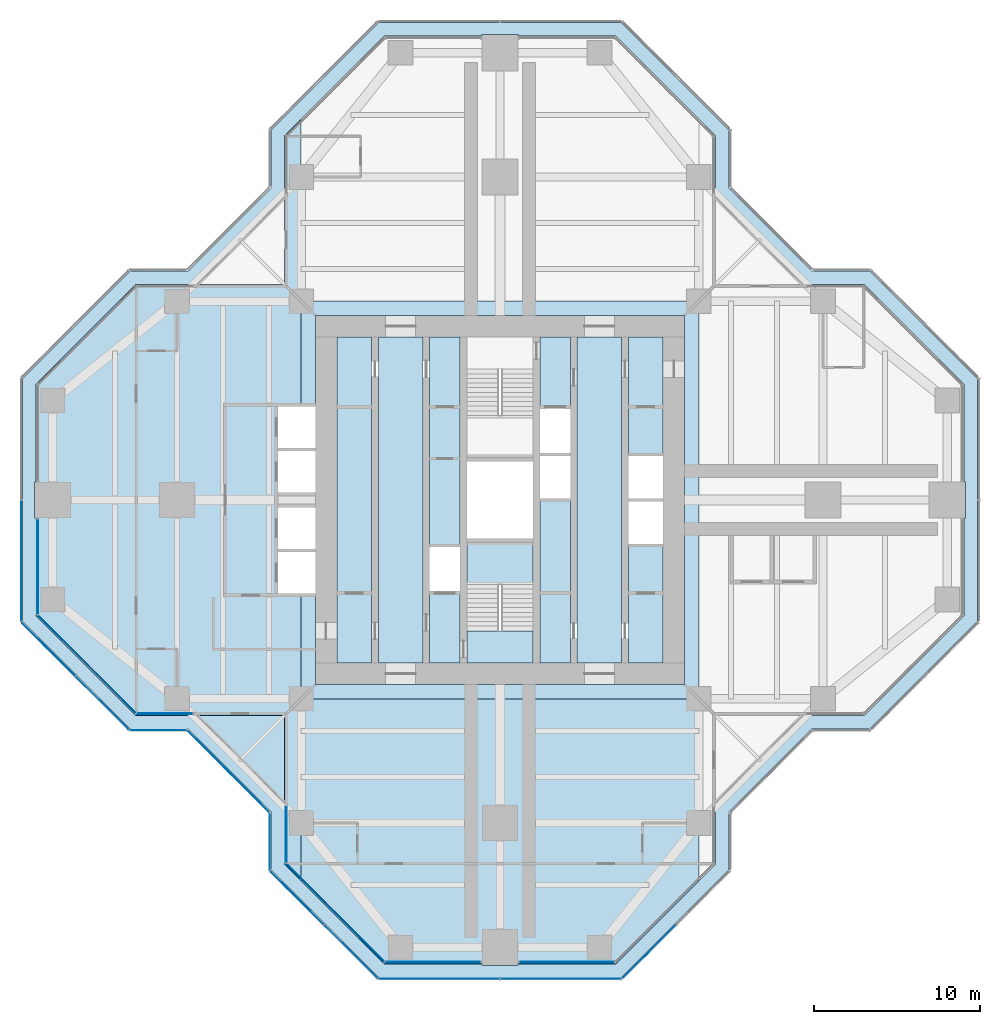
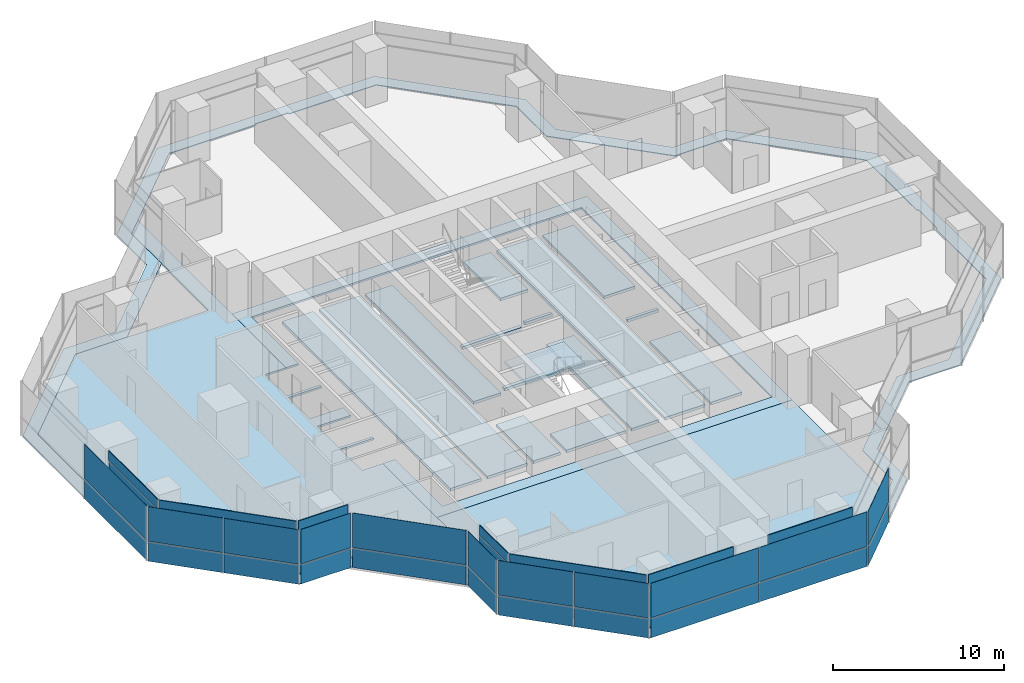
# One storey, part 10 of 17: 37 plates, 7 slabs, 16 elements without a shape of their own.
"""IFC4 building model written with IfcOpenShell, lengths in metres."""

from ifc_helpers import new_model, si_unit, direction, frame, origin, origin_2d, place, context, subcontext, project, spatial, polyline, rectangle, outline, extrude, material, layer, layer_set, type_object, element, aggregate, save


model = new_model("IFC4")

# Units and contexts
model_context = context("Model", 3, precision=1e-05, world=origin(), true_north=direction((0.0, 1.0)))
body_context = subcontext(model_context, "Body", "Model", "MODEL_VIEW")
ifc_project = project(units=[si_unit("LENGTHUNIT", "METRE"), si_unit("AREAUNIT", "SQUARE_METRE"), si_unit("VOLUMEUNIT", "CUBIC_METRE"), si_unit("PLANEANGLEUNIT", "RADIAN"), si_unit("MASSUNIT", "GRAM", prefix="KILO")], contexts=[model_context])

# Site, building, storey
site_placement = place(None, origin())
site = spatial("IfcSite", under=ifc_project, at=site_placement, CompositionType="ELEMENT")
building_placement = place(site_placement, origin())
building = spatial("IfcBuilding", under=site, at=building_placement, Name="Mizan Broadcast Tower", CompositionType="ELEMENT")
storey_placement = place(building_placement, frame((0.0, 0.0, 240.0)))
storey = spatial("IfcBuildingStorey", under=building, at=storey_placement, Name="L56", CompositionType="ELEMENT", Elevation=240.0)

# Plate
ifc_material_1 = material(Name="Aluminium grating", Category="aluminium")
ifc_layer_1 = layer(ifc_material_1, 0.050048828125)
ifc_layer_set_1 = layer_set([ifc_layer_1], Name="Aluminium grating")
plate_type_1 = type_object("IfcPlateType", Name="CAVITY GRATING", PredefinedType="USERDEFINED", material=ifc_layer_set_1)
plate_1_placement = place(storey_placement, frame((0.0, 0.0, -0.050048828125)))
element("IfcPlate", 1, at=plate_1_placement, inside=storey, type_object=plate_type_1, Name="Cavity grating L56", ObjectType="GRATING", PredefinedType="USERDEFINED", context=body_context, shape_type="SweptSolid", body=[
    extrude(outline(polyline([(13.820068359375, -18.839599609375), (18.839599609375, -13.820068359375), (22.339599609375, -13.820068359375), (28.820068359375, -7.339599609375), (28.820068359375, 7.339599609375), (22.339599609375, 13.820068359375), (18.839599609375, 13.820068359375), (13.820068359375, 18.839599609375), (13.820068359375, 22.339599609375), (7.339599609375, 28.820068359375), (-7.339599609375, 28.820068359375), (-13.820068359375, 22.339599609375), (-13.820068359375, 18.839599609375), (-18.839599609375, 13.820068359375), (-22.339599609375, 13.820068359375), (-28.820068359375, 7.339599609375), (-28.820068359375, -7.339599609375), (-22.339599609375, -13.820068359375), (-18.839599609375, -13.820068359375), (-13.820068359375, -18.839599609375), (-13.820068359375, -22.339599609375), (-7.339599609375, -28.820068359375), (7.339599609375, -28.820068359375), (13.820068359375, -22.339599609375), (13.820068359375, -18.839599609375)]), holes=[polyline([(28.0, -1.10009765625), (28.0, -7.0), (22.0, -13.0), (18.5, -13.0), (13.0, -18.5), (13.0, -22.0), (7.0, -28.0), (1.10009765625, -28.0), (1.10009765625, -28.10009765625), (-1.10009765625, -28.10009765625), (-1.10009765625, -28.0), (-7.0, -28.0), (-13.0, -22.0), (-13.0, -18.5), (-18.5, -13.0), (-22.0, -13.0), (-28.0, -7.0), (-28.0, -1.10009765625), (-28.10009765625, -1.10009765625), (-28.10009765625, 1.10009765625), (-28.0, 1.10009765625), (-28.0, 7.0), (-22.0, 13.0), (-18.5, 13.0), (-13.0, 18.5), (-13.0, 22.0), (-7.0, 28.0), (-1.10009765625, 28.0), (-1.10009765625, 28.10009765625), (1.10009765625, 28.10009765625), (1.10009765625, 28.0), (7.0, 28.0), (13.0, 22.0), (13.0, 18.5), (18.5, 13.0), (22.0, 13.0), (28.0, 7.0), (28.0, 1.10009765625), (28.10009765625, 1.10009765625), (28.10009765625, -1.10009765625), (28.0, -1.10009765625)])]), origin(), (0.0, 0.0, 1.0), 0.050048828125),
])

# Slabs
ifc_material_2 = material(Name="Concrete C32/40", Category="concrete")
ifc_layer_2 = layer(ifc_material_2, 0.1298828125)
ifc_layer_set_2 = layer_set([ifc_layer_2], Name="Concrete C32/40")
slab_type_1 = type_object("IfcSlabType", Name="COMPOSITE DECK SLAB 130", PredefinedType="FLOOR", material=ifc_layer_set_2)
slab_1_placement = place(storey_placement, frame((0.0, 0.0, -0.1298828125)))
element("IfcSlab", 2, at=slab_1_placement, inside=storey, type_object=slab_type_1, Name="Floor slab L56 centre", PredefinedType="FLOOR", context=body_context, shape_type="SweptSolid", body=[
    extrude(outline(polyline([(-11.14990234375, -5.64990234375), (-12.0, -5.64990234375), (-12.0, -12.0), (12.0, -12.0), (12.0, 12.0), (-12.0, 12.0), (-12.0, 5.64990234375), (-11.14990234375, 5.64990234375), (-11.14990234375, 11.14990234375), (11.14990234375, 11.14990234375), (11.14990234375, -11.14990234375), (-11.14990234375, -11.14990234375), (-11.14990234375, -5.64990234375)])), origin(), (0.0, 0.0, 1.0), 0.1298828125),
])
slab_2_placement = place(storey_placement, frame((0.0, 0.0, -0.1298828125)))
element("IfcSlab", 3, at=slab_2_placement, inside=storey, type_object=slab_type_1, Name="Floor slab L56 west arm", PredefinedType="FLOOR", context=body_context, shape_type="SweptSolid", body=[
    extrude(outline(polyline([(-22.0, 13.0), (-28.0, 7.0), (-28.0, -7.0), (-22.0, -13.0), (-13.0, -13.0), (-13.0, -22.0), (-12.0, -23.0), (-12.0, -5.64990234375), (-13.39990234375, -5.64990234375), (-13.39990234375, -3.14990234375), (-11.14990234375, -3.14990234375), (-11.14990234375, -2.949951171875), (-13.39990234375, -2.949951171875), (-13.39990234375, -0.449951171875), (-11.14990234375, -0.449951171875), (-11.14990234375, 0.449951171875), (-13.39990234375, 0.449951171875), (-13.39990234375, 2.949951171875), (-11.14990234375, 2.949951171875), (-11.14990234375, 3.14990234375), (-13.39990234375, 3.14990234375), (-13.39990234375, 5.64990234375), (-12.0, 5.64990234375), (-12.0, 23.0), (-13.0, 22.0), (-13.0, 13.0), (-22.0, 13.0)])), origin(), (0.0, 0.0, 1.0), 0.1298828125),
])
slab_3_placement = place(storey_placement, frame((0.0, 0.0, -0.1298828125)))
element("IfcSlab", 4, at=slab_3_placement, inside=storey, type_object=slab_type_1, Name="Floor slab L56 south arm", PredefinedType="FLOOR", context=body_context, shape_type="SweptSolid", body=[
    extrude(outline(polyline([(7.0, -28.0), (12.0, -23.0), (12.0, -12.0), (-12.0, -12.0), (-12.0, -23.0), (-7.0, -28.0), (7.0, -28.0)])), origin(), (0.0, 0.0, 1.0), 0.1298828125),
])
ifc_material_3 = material(Name="Concrete C40/50", Category="concrete")
ifc_layer_3 = layer(ifc_material_3, 0.199951171875)
ifc_layer_set_3 = layer_set([ifc_layer_3], Name="Concrete C40/50")
slab_type_2 = type_object("IfcSlabType", Name="CORE FLOOR 200", PredefinedType="FLOOR", material=ifc_layer_set_3)
slab_4_placement = place(storey_placement, frame((0.0, 0.0, -0.199951171875)))
element("IfcSlab", 5, at=slab_4_placement, inside=storey, type_object=slab_type_2, Name="Core floor L56", PredefinedType="FLOOR", context=body_context, shape_type="SweptSolid", body=[
    extrude(outline(polyline([(-9.85009765625, -9.85009765625), (-7.75, -9.85009765625), (-7.75, 9.85009765625), (-9.85009765625, 9.85009765625), (-9.85009765625, -9.85009765625)])), origin(), (0.0, 0.0, 1.0), 0.199951171875),
    extrude(outline(polyline([(-4.64990234375, 9.85009765625), (-7.35009765625, 9.85009765625), (-7.35009765625, -9.85009765625), (-4.64990234375, -9.85009765625), (-4.64990234375, 9.85009765625)])), origin(), (0.0, 0.0, 1.0), 0.199951171875),
    extrude(outline(polyline([(-4.25, -5.5), (-4.25, -9.85009765625), (-2.39990234375, -9.85009765625), (-2.39990234375, -5.5), (-4.25, -5.5)])), origin(), (0.0, 0.0, 1.0), 0.199951171875),
    extrude(outline(polyline([(-4.25, -2.85009765625), (-2.39990234375, -2.85009765625), (-2.39990234375, 9.85009765625), (-4.25, 9.85009765625), (-4.25, -2.85009765625)])), origin(), (0.0, 0.0, 1.0), 0.199951171875),
    extrude(outline(polyline([(2.0, -2.324951171875), (-2.0, -2.324951171875), (-2.0, -2.574951171875), (2.0, -2.574951171875), (2.0, -2.324951171875)])), origin(), (0.0, 0.0, 1.0), 0.199951171875),
    extrude(outline(polyline([(2.0, 2.574951171875), (-2.0, 2.574951171875), (-2.0, 2.324951171875), (2.0, 2.324951171875), (2.0, 2.574951171875)])), origin(), (0.0, 0.0, 1.0), 0.199951171875),
    extrude(outline(polyline([(4.25, -9.85009765625), (4.25, 0.10009765625), (2.39990234375, 0.10009765625), (2.39990234375, -9.85009765625), (4.25, -9.85009765625)])), origin(), (0.0, 0.0, 1.0), 0.199951171875),
    extrude(outline(polyline([(4.25, 2.64990234375), (4.25, 2.85009765625), (2.39990234375, 2.85009765625), (2.39990234375, 2.64990234375), (4.25, 2.64990234375)])), origin(), (0.0, 0.0, 1.0), 0.199951171875),
    extrude(outline(polyline([(4.25, 5.5), (4.25, 9.85009765625), (2.39990234375, 9.85009765625), (2.39990234375, 5.5), (4.25, 5.5)])), origin(), (0.0, 0.0, 1.0), 0.199951171875),
    extrude(outline(polyline([(4.64990234375, 9.85009765625), (4.64990234375, -9.85009765625), (7.35009765625, -9.85009765625), (7.35009765625, 9.85009765625), (4.64990234375, 9.85009765625)])), origin(), (0.0, 0.0, 1.0), 0.199951171875),
    extrude(outline(polyline([(9.85009765625, -9.85009765625), (9.85009765625, -2.64990234375), (7.75, -2.64990234375), (7.75, -9.85009765625), (9.85009765625, -9.85009765625)])), origin(), (0.0, 0.0, 1.0), 0.199951171875),
    extrude(outline(polyline([(9.85009765625, -0.10009765625), (9.85009765625, 0.10009765625), (7.75, 0.10009765625), (7.75, -0.10009765625), (9.85009765625, -0.10009765625)])), origin(), (0.0, 0.0, 1.0), 0.199951171875),
    extrude(outline(polyline([(7.75, 9.85009765625), (7.75, 2.64990234375), (9.85009765625, 2.64990234375), (9.85009765625, 9.85009765625), (7.75, 9.85009765625)])), origin(), (0.0, 0.0, 1.0), 0.199951171875),
])

# Curtain wall, plate
ifc_material_4 = material(Name="Aluminium framed glazing", Category="aluminium")
curtain_wall_type_1 = type_object("IfcCurtainWallType", Name="INNER SKIN HIGH ZONE", PredefinedType="USERDEFINED", material=ifc_material_4)
curtain_wall_1_placement = place(storey_placement, origin())
curtain_wall_1 = element("IfcCurtainWall", 6, at=curtain_wall_1_placement, inside=storey, type_object=curtain_wall_type_1, Name="Inner skin high zone L56 W end", ObjectType="INNER SKIN HIGH ZONE", PredefinedType="USERDEFINED")
ifc_material_5 = material(Name="Double glazing, clear low-e", Category="glass")
ifc_layer_4 = layer(ifc_material_5, 0.028076171875)
ifc_layer_set_4 = layer_set([ifc_layer_4], Name="Double glazing, clear low-e")
plate_type_2 = type_object("IfcPlateType", Name="INNER SKIN GLAZING UNIT", PredefinedType="CURTAIN_PANEL", material=ifc_layer_set_4)
plate_2_placement = place(storey_placement, frame((-27.89990234375, -4.029296875, 0.0), z_axis=(0.0, 0.0, 1.0), x_axis=(0.0, -1.0, 0.0)))
plate_2 = element("IfcPlate", 7, at=plate_2_placement, type_object=plate_type_2, Name="Inner skin high zone L56 W end panel 1.1", PredefinedType="CURTAIN_PANEL", context=body_context, shape_type="SweptSolid", body=[
    extrude(rectangle(XDim=5.738525390625, YDim=0.028076171875, at=origin_2d()), origin(), (0.0, 0.0, 1.0), 3.0),
])

curtain_wall_2_placement = place(storey_placement, origin())
curtain_wall_2 = element("IfcCurtainWall", 8, at=curtain_wall_2_placement, inside=storey, type_object=curtain_wall_type_1, Name="Inner skin high zone L56 W chamfer", ObjectType="INNER SKIN HIGH ZONE", PredefinedType="USERDEFINED")
plate_3_placement = place(storey_placement, frame((-24.92919921875, -9.92919921875, 0.0), z_axis=(0.0, 0.0, 1.0), x_axis=(0.707106781187, -0.707106781187, 0.0)))
plate_3 = element("IfcPlate", 9, at=plate_3_placement, type_object=plate_type_2, Name="Inner skin high zone L56 W chamfer panel 1.1", PredefinedType="CURTAIN_PANEL", context=body_context, shape_type="SweptSolid", body=[
    extrude(rectangle(XDim=8.282470703125, YDim=0.028076171875, at=origin_2d()), origin(), (0.0, 0.0, 1.0), 3.0),
])

curtain_wall_3_placement = place(storey_placement, origin())
curtain_wall_3 = element("IfcCurtainWall", 10, at=curtain_wall_3_placement, inside=storey, type_object=curtain_wall_type_1, Name="Inner skin high zone L56 W side", ObjectType="INNER SKIN HIGH ZONE", PredefinedType="USERDEFINED")
plate_4_placement = place(storey_placement, frame((-20.229248046875, -12.89990234375, 0.0), z_axis=(0.0, 0.0, 1.0), x_axis=(1.0, 0.0, 0.0)))
plate_4 = element("IfcPlate", 11, at=plate_4_placement, type_object=plate_type_2, Name="Inner skin high zone L56 W side panel 1.1", PredefinedType="CURTAIN_PANEL", context=body_context, shape_type="SweptSolid", body=[
    extrude(rectangle(XDim=3.338623046875, YDim=0.028076171875, at=origin_2d()), origin(), (0.0, 0.0, 1.0), 3.0),
])

curtain_wall_4_placement = place(storey_placement, origin())
curtain_wall_4 = element("IfcCurtainWall", 12, at=curtain_wall_4_placement, inside=storey, type_object=curtain_wall_type_1, Name="Inner skin high zone L56 S side", ObjectType="INNER SKIN HIGH ZONE", PredefinedType="USERDEFINED")
plate_5_placement = place(storey_placement, frame((-12.89990234375, -20.229248046875, 0.0), z_axis=(0.0, 0.0, 1.0), x_axis=(0.0, -1.0, 0.0)))
plate_5 = element("IfcPlate", 13, at=plate_5_placement, type_object=plate_type_2, Name="Inner skin high zone L56 S side panel 1.1", PredefinedType="CURTAIN_PANEL", context=body_context, shape_type="SweptSolid", body=[
    extrude(rectangle(XDim=3.338623046875, YDim=0.028076171875, at=origin_2d()), origin(), (0.0, 0.0, 1.0), 3.0),
])

curtain_wall_5_placement = place(storey_placement, origin())
curtain_wall_5 = element("IfcCurtainWall", 14, at=curtain_wall_5_placement, inside=storey, type_object=curtain_wall_type_1, Name="Inner skin high zone L56 S chamfer", ObjectType="INNER SKIN HIGH ZONE", PredefinedType="USERDEFINED")
plate_6_placement = place(storey_placement, frame((-9.92919921875, -24.92919921875, 0.0), z_axis=(0.0, 0.0, 1.0), x_axis=(0.707106781187, -0.707106781187, 0.0)))
plate_6 = element("IfcPlate", 15, at=plate_6_placement, type_object=plate_type_2, Name="Inner skin high zone L56 S chamfer panel 1.1", PredefinedType="CURTAIN_PANEL", context=body_context, shape_type="SweptSolid", body=[
    extrude(rectangle(XDim=8.282470703125, YDim=0.028076171875, at=origin_2d()), origin(), (0.0, 0.0, 1.0), 3.0),
])

curtain_wall_6_placement = place(storey_placement, origin())
curtain_wall_6 = element("IfcCurtainWall", 16, at=curtain_wall_6_placement, inside=storey, type_object=curtain_wall_type_1, Name="Inner skin high zone L56 S end", ObjectType="INNER SKIN HIGH ZONE", PredefinedType="USERDEFINED")
plate_7_placement = place(storey_placement, frame((-4.029296875, -27.89990234375, 0.0), z_axis=(0.0, 0.0, 1.0), x_axis=(1.0, 0.0, 0.0)))
plate_7 = element("IfcPlate", 17, at=plate_7_placement, type_object=plate_type_2, Name="Inner skin high zone L56 S end panel 1.1", PredefinedType="CURTAIN_PANEL", context=body_context, shape_type="SweptSolid", body=[
    extrude(rectangle(XDim=5.738525390625, YDim=0.028076171875, at=origin_2d()), origin(), (0.0, 0.0, 1.0), 3.0),
])

curtain_wall_7_placement = place(storey_placement, origin())
curtain_wall_7 = element("IfcCurtainWall", 18, at=curtain_wall_7_placement, inside=storey, type_object=curtain_wall_type_1, Name="Inner skin high zone L56 S end", ObjectType="INNER SKIN HIGH ZONE", PredefinedType="USERDEFINED")
plate_8_placement = place(storey_placement, frame((4.029296875, -27.89990234375, 0.0), z_axis=(0.0, 0.0, 1.0), x_axis=(1.0, 0.0, 0.0)))
plate_8 = element("IfcPlate", 19, at=plate_8_placement, type_object=plate_type_2, Name="Inner skin high zone L56 S end panel 1.1", PredefinedType="CURTAIN_PANEL", context=body_context, shape_type="SweptSolid", body=[
    extrude(rectangle(XDim=5.738525390625, YDim=0.028076171875, at=origin_2d()), origin(), (0.0, 0.0, 1.0), 3.0),
])

# Plate
ifc_material_6 = material(Name="Insulated aluminium spandrel panel, pale anodised", Category="aluminium")
ifc_layer_5 = layer(ifc_material_6, 0.050048828125)
ifc_layer_set_5 = layer_set([ifc_layer_5], Name="Insulated aluminium spandrel panel, pale anodised")
plate_type_3 = type_object("IfcPlateType", Name="INNER SKIN SPANDREL PANEL", PredefinedType="CURTAIN_PANEL", material=ifc_layer_set_5)
plate_9_placement = place(storey_placement, frame((-27.89990234375, -4.029296875, 3.06005859375), z_axis=(0.0, 0.0, 1.0), x_axis=(0.0, -1.0, 0.0)))
plate_9 = element("IfcPlate", 20, at=plate_9_placement, type_object=plate_type_3, Name="Inner skin high zone L56 W end panel 1.2", PredefinedType="CURTAIN_PANEL", context=body_context, shape_type="SweptSolid", body=[
    extrude(rectangle(XDim=5.738525390625, YDim=0.050048828125, at=origin_2d()), origin(), (0.0, 0.0, 1.0), 0.7099609375),
])

aggregate(curtain_wall_1, [plate_2, plate_9])

plate_10_placement = place(storey_placement, frame((-24.92919921875, -9.92919921875, 3.06005859375), z_axis=(0.0, 0.0, 1.0), x_axis=(0.707106781187, -0.707106781187, 0.0)))
plate_10 = element("IfcPlate", 21, at=plate_10_placement, type_object=plate_type_3, Name="Inner skin high zone L56 W chamfer panel 1.2", PredefinedType="CURTAIN_PANEL", context=body_context, shape_type="SweptSolid", body=[
    extrude(rectangle(XDim=8.282470703125, YDim=0.050048828125, at=origin_2d()), origin(), (0.0, 0.0, 1.0), 0.7099609375),
])

aggregate(curtain_wall_2, [plate_3, plate_10])

plate_11_placement = place(storey_placement, frame((-20.229248046875, -12.89990234375, 3.06005859375), z_axis=(0.0, 0.0, 1.0), x_axis=(1.0, 0.0, 0.0)))
plate_11 = element("IfcPlate", 22, at=plate_11_placement, type_object=plate_type_3, Name="Inner skin high zone L56 W side panel 1.2", PredefinedType="CURTAIN_PANEL", context=body_context, shape_type="SweptSolid", body=[
    extrude(rectangle(XDim=3.338623046875, YDim=0.050048828125, at=origin_2d()), origin(), (0.0, 0.0, 1.0), 0.7099609375),
])

aggregate(curtain_wall_3, [plate_4, plate_11])

plate_12_placement = place(storey_placement, frame((-12.89990234375, -20.229248046875, 3.06005859375), z_axis=(0.0, 0.0, 1.0), x_axis=(0.0, -1.0, 0.0)))
plate_12 = element("IfcPlate", 23, at=plate_12_placement, type_object=plate_type_3, Name="Inner skin high zone L56 S side panel 1.2", PredefinedType="CURTAIN_PANEL", context=body_context, shape_type="SweptSolid", body=[
    extrude(rectangle(XDim=3.338623046875, YDim=0.050048828125, at=origin_2d()), origin(), (0.0, 0.0, 1.0), 0.7099609375),
])

aggregate(curtain_wall_4, [plate_5, plate_12])

plate_13_placement = place(storey_placement, frame((-9.92919921875, -24.92919921875, 3.06005859375), z_axis=(0.0, 0.0, 1.0), x_axis=(0.707106781187, -0.707106781187, 0.0)))
plate_13 = element("IfcPlate", 24, at=plate_13_placement, type_object=plate_type_3, Name="Inner skin high zone L56 S chamfer panel 1.2", PredefinedType="CURTAIN_PANEL", context=body_context, shape_type="SweptSolid", body=[
    extrude(rectangle(XDim=8.282470703125, YDim=0.050048828125, at=origin_2d()), origin(), (0.0, 0.0, 1.0), 0.7099609375),
])

aggregate(curtain_wall_5, [plate_6, plate_13])

plate_14_placement = place(storey_placement, frame((-4.029296875, -27.89990234375, 3.06005859375), z_axis=(0.0, 0.0, 1.0), x_axis=(1.0, 0.0, 0.0)))
plate_14 = element("IfcPlate", 25, at=plate_14_placement, type_object=plate_type_3, Name="Inner skin high zone L56 S end panel 1.2", PredefinedType="CURTAIN_PANEL", context=body_context, shape_type="SweptSolid", body=[
    extrude(rectangle(XDim=5.738525390625, YDim=0.050048828125, at=origin_2d()), origin(), (0.0, 0.0, 1.0), 0.7099609375),
])

aggregate(curtain_wall_6, [plate_7, plate_14])

plate_15_placement = place(storey_placement, frame((4.029296875, -27.89990234375, 3.06005859375), z_axis=(0.0, 0.0, 1.0), x_axis=(1.0, 0.0, 0.0)))
plate_15 = element("IfcPlate", 26, at=plate_15_placement, type_object=plate_type_3, Name="Inner skin high zone L56 S end panel 1.2", PredefinedType="CURTAIN_PANEL", context=body_context, shape_type="SweptSolid", body=[
    extrude(rectangle(XDim=5.738525390625, YDim=0.050048828125, at=origin_2d()), origin(), (0.0, 0.0, 1.0), 0.7099609375),
])

aggregate(curtain_wall_7, [plate_8, plate_15])

# Curtain wall, plates
ifc_material_7 = material(Name="Aluminium framed glazing", Category="aluminium")
curtain_wall_type_2 = type_object("IfcCurtainWallType", Name="OUTER SKIN", PredefinedType="USERDEFINED", material=ifc_material_7)
curtain_wall_8_placement = place(storey_placement, origin())
curtain_wall_8 = element("IfcCurtainWall", 27, at=curtain_wall_8_placement, inside=storey, type_object=curtain_wall_type_2, Name="Outer skin L56 W chamfer", ObjectType="OUTER SKIN", PredefinedType="USERDEFINED")
ifc_material_8 = material(Name="Laminated clear glass", Category="glass")
ifc_layer_6 = layer(ifc_material_8, 0.02001953125)
ifc_layer_set_6 = layer_set([ifc_layer_6], Name="Laminated clear glass")
plate_type_4 = type_object("IfcPlateType", Name="OUTER SKIN CLEAR GLASS", PredefinedType="CURTAIN_PANEL", material=ifc_layer_set_6)
plate_16_placement = place(storey_placement, frame((-27.254150390625, -9.018798828125, 0.0), z_axis=(0.0, 0.0, 1.0), x_axis=(0.707106781187, -0.707106781187, 0.0)))
plate_16 = element("IfcPlate", 28, at=plate_16_placement, type_object=plate_type_4, Name="Outer skin L56 W chamfer panel 1.1", PredefinedType="CURTAIN_PANEL", context=body_context, shape_type="SweptSolid", body=[
    extrude(rectangle(XDim=4.495361328125, YDim=0.02001953125, at=origin_2d()), origin(), (0.0, 0.0, 1.0), 1.3701171875),
])
plate_17_placement = place(storey_placement, frame((-27.254150390625, -9.018798828125, 1.43017578125), z_axis=(0.0, 0.0, 1.0), x_axis=(0.707106781187, -0.707106781187, 0.0)))
plate_17 = element("IfcPlate", 29, at=plate_17_placement, type_object=plate_type_4, Name="Outer skin L56 W chamfer panel 1.2", PredefinedType="CURTAIN_PANEL", context=body_context, shape_type="SweptSolid", body=[
    extrude(rectangle(XDim=4.495361328125, YDim=0.02001953125, at=origin_2d()), origin(), (0.0, 0.0, 1.0), 2.469970703125),
])

curtain_wall_9_placement = place(storey_placement, origin())
curtain_wall_9 = element("IfcCurtainWall", 30, at=curtain_wall_9_placement, inside=storey, type_object=curtain_wall_type_2, Name="Outer skin L56 W side", ObjectType="OUTER SKIN", PredefinedType="USERDEFINED")
plate_18_placement = place(storey_placement, frame((-20.622802734375, -13.89990234375, 0.0), z_axis=(0.0, 0.0, 1.0), x_axis=(1.0, 0.0, 0.0)))
plate_18 = element("IfcPlate", 31, at=plate_18_placement, type_object=plate_type_4, Name="Outer skin L56 W side panel 1.1", PredefinedType="CURTAIN_PANEL", context=body_context, shape_type="SweptSolid", body=[
    extrude(rectangle(XDim=3.340087890625, YDim=0.02001953125, at=origin_2d()), origin(), (0.0, 0.0, 1.0), 1.3701171875),
])
plate_19_placement = place(storey_placement, frame((-20.622802734375, -13.89990234375, 1.43017578125), z_axis=(0.0, 0.0, 1.0), x_axis=(1.0, 0.0, 0.0)))
plate_19 = element("IfcPlate", 32, at=plate_19_placement, type_object=plate_type_4, Name="Outer skin L56 W side panel 1.2", PredefinedType="CURTAIN_PANEL", context=body_context, shape_type="SweptSolid", body=[
    extrude(rectangle(XDim=3.340087890625, YDim=0.02001953125, at=origin_2d()), origin(), (0.0, 0.0, 1.0), 2.469970703125),
])
aggregate(curtain_wall_9, [plate_18, plate_19])

curtain_wall_10_placement = place(storey_placement, origin())
curtain_wall_10 = element("IfcCurtainWall", 33, at=curtain_wall_10_placement, inside=storey, type_object=curtain_wall_type_2, Name="Outer skin L56 W chamfer", ObjectType="OUTER SKIN", PredefinedType="USERDEFINED")
plate_20_placement = place(storey_placement, frame((-16.386474609375, -16.386474609375, 0.0), z_axis=(0.0, 0.0, 1.0), x_axis=(0.707106781187, -0.707106781187, 0.0)))
plate_20 = element("IfcPlate", 34, at=plate_20_placement, type_object=plate_type_4, Name="Outer skin L56 W chamfer panel 1.1", PredefinedType="CURTAIN_PANEL", context=body_context, shape_type="SweptSolid", body=[
    extrude(rectangle(XDim=6.87255859375, YDim=0.02001953125, at=origin_2d()), origin(), (0.0, 0.0, 1.0), 1.3701171875),
])
plate_21_placement = place(storey_placement, frame((-16.386474609375, -16.386474609375, 1.43017578125), z_axis=(0.0, 0.0, 1.0), x_axis=(0.707106781187, -0.707106781187, 0.0)))
plate_21 = element("IfcPlate", 35, at=plate_21_placement, type_object=plate_type_4, Name="Outer skin L56 W chamfer panel 1.2", PredefinedType="CURTAIN_PANEL", context=body_context, shape_type="SweptSolid", body=[
    extrude(rectangle(XDim=6.87255859375, YDim=0.02001953125, at=origin_2d()), origin(), (0.0, 0.0, 1.0), 2.469970703125),
])
aggregate(curtain_wall_10, [plate_20, plate_21])

curtain_wall_11_placement = place(storey_placement, origin())
curtain_wall_11 = element("IfcCurtainWall", 36, at=curtain_wall_11_placement, inside=storey, type_object=curtain_wall_type_2, Name="Outer skin L56 S side", ObjectType="OUTER SKIN", PredefinedType="USERDEFINED")
plate_22_placement = place(storey_placement, frame((-13.89990234375, -20.622802734375, 0.0), z_axis=(0.0, 0.0, 1.0), x_axis=(0.0, -1.0, 0.0)))
plate_22 = element("IfcPlate", 37, at=plate_22_placement, type_object=plate_type_4, Name="Outer skin L56 S side panel 1.1", PredefinedType="CURTAIN_PANEL", context=body_context, shape_type="SweptSolid", body=[
    extrude(rectangle(XDim=3.340087890625, YDim=0.02001953125, at=origin_2d()), origin(), (0.0, 0.0, 1.0), 1.3701171875),
])
plate_23_placement = place(storey_placement, frame((-13.89990234375, -20.622802734375, 1.43017578125), z_axis=(0.0, 0.0, 1.0), x_axis=(0.0, -1.0, 0.0)))
plate_23 = element("IfcPlate", 38, at=plate_23_placement, type_object=plate_type_4, Name="Outer skin L56 S side panel 1.2", PredefinedType="CURTAIN_PANEL", context=body_context, shape_type="SweptSolid", body=[
    extrude(rectangle(XDim=3.340087890625, YDim=0.02001953125, at=origin_2d()), origin(), (0.0, 0.0, 1.0), 2.469970703125),
])
aggregate(curtain_wall_11, [plate_22, plate_23])

curtain_wall_12_placement = place(storey_placement, origin())
curtain_wall_12 = element("IfcCurtainWall", 39, at=curtain_wall_12_placement, inside=storey, type_object=curtain_wall_type_2, Name="Outer skin L56 S chamfer", ObjectType="OUTER SKIN", PredefinedType="USERDEFINED")
plate_24_placement = place(storey_placement, frame((-12.254150390625, -24.018798828125, 0.0), z_axis=(0.0, 0.0, 1.0), x_axis=(0.707106781187, -0.707106781187, 0.0)))
plate_24 = element("IfcPlate", 40, at=plate_24_placement, type_object=plate_type_4, Name="Outer skin L56 S chamfer panel 1.1", PredefinedType="CURTAIN_PANEL", context=body_context, shape_type="SweptSolid", body=[
    extrude(rectangle(XDim=4.495361328125, YDim=0.02001953125, at=origin_2d()), origin(), (0.0, 0.0, 1.0), 1.3701171875),
])
plate_25_placement = place(storey_placement, frame((-12.254150390625, -24.018798828125, 1.43017578125), z_axis=(0.0, 0.0, 1.0), x_axis=(0.707106781187, -0.707106781187, 0.0)))
plate_25 = element("IfcPlate", 41, at=plate_25_placement, type_object=plate_type_4, Name="Outer skin L56 S chamfer panel 1.2", PredefinedType="CURTAIN_PANEL", context=body_context, shape_type="SweptSolid", body=[
    extrude(rectangle(XDim=4.495361328125, YDim=0.02001953125, at=origin_2d()), origin(), (0.0, 0.0, 1.0), 2.469970703125),
])

curtain_wall_13_placement = place(storey_placement, origin())
curtain_wall_13 = element("IfcCurtainWall", 42, at=curtain_wall_13_placement, inside=storey, type_object=curtain_wall_type_2, Name="Outer skin L56 S end", ObjectType="OUTER SKIN", PredefinedType="USERDEFINED")
plate_26_placement = place(storey_placement, frame((-3.66650390625, -28.89990234375, 0.0), z_axis=(0.0, 0.0, 1.0), x_axis=(1.0, 0.0, 0.0)))
plate_26 = element("IfcPlate", 43, at=plate_26_placement, type_object=plate_type_4, Name="Outer skin L56 S end panel 1.1", PredefinedType="CURTAIN_PANEL", context=body_context, shape_type="SweptSolid", body=[
    extrude(rectangle(XDim=7.252685546875, YDim=0.02001953125, at=origin_2d()), origin(), (0.0, 0.0, 1.0), 1.3701171875),
])
plate_27_placement = place(storey_placement, frame((-3.66650390625, -28.89990234375, 1.43017578125), z_axis=(0.0, 0.0, 1.0), x_axis=(1.0, 0.0, 0.0)))
plate_27 = element("IfcPlate", 44, at=plate_27_placement, type_object=plate_type_4, Name="Outer skin L56 S end panel 1.2", PredefinedType="CURTAIN_PANEL", context=body_context, shape_type="SweptSolid", body=[
    extrude(rectangle(XDim=7.252685546875, YDim=0.02001953125, at=origin_2d()), origin(), (0.0, 0.0, 1.0), 2.469970703125),
])

curtain_wall_14_placement = place(storey_placement, origin())
curtain_wall_14 = element("IfcCurtainWall", 45, at=curtain_wall_14_placement, inside=storey, type_object=curtain_wall_type_2, Name="Outer skin L56 S chamfer", ObjectType="OUTER SKIN", PredefinedType="USERDEFINED")
plate_28_placement = place(storey_placement, frame((9.018798828125, -27.254150390625, 0.0), z_axis=(0.0, 0.0, 1.0), x_axis=(0.707106781187, 0.707106781187, 0.0)))
plate_28 = element("IfcPlate", 46, at=plate_28_placement, type_object=plate_type_4, Name="Outer skin L56 S chamfer panel 1.1", PredefinedType="CURTAIN_PANEL", context=body_context, shape_type="SweptSolid", body=[
    extrude(rectangle(XDim=4.495361328125, YDim=0.02001953125, at=origin_2d()), origin(), (0.0, 0.0, 1.0), 1.3701171875),
])
plate_29_placement = place(storey_placement, frame((9.018798828125, -27.254150390625, 1.43017578125), z_axis=(0.0, 0.0, 1.0), x_axis=(0.707106781187, 0.707106781187, 0.0)))
plate_29 = element("IfcPlate", 47, at=plate_29_placement, type_object=plate_type_4, Name="Outer skin L56 S chamfer panel 1.2", PredefinedType="CURTAIN_PANEL", context=body_context, shape_type="SweptSolid", body=[
    extrude(rectangle(XDim=4.495361328125, YDim=0.02001953125, at=origin_2d()), origin(), (0.0, 0.0, 1.0), 2.469970703125),
])
aggregate(curtain_wall_14, [plate_28, plate_29])

curtain_wall_15_placement = place(storey_placement, origin())
curtain_wall_15 = element("IfcCurtainWall", 48, at=curtain_wall_15_placement, inside=storey, type_object=curtain_wall_type_2, Name="Outer skin L56 W end", ObjectType="OUTER SKIN", PredefinedType="USERDEFINED")
ifc_material_9 = material(Name="Perforated aluminium, pale anodised", Category="aluminium")
ifc_layer_7 = layer(ifc_material_9, 0.011962890625)
ifc_layer_set_7 = layer_set([ifc_layer_7], Name="Perforated aluminium, pale anodised")
plate_type_5 = type_object("IfcPlateType", Name="OUTER SKIN PERFORATED SCREEN", PredefinedType="USERDEFINED", material=ifc_layer_set_7)
plate_30_placement = place(storey_placement, frame((-28.89990234375, -3.66650390625, 0.0), z_axis=(0.0, 0.0, 1.0), x_axis=(0.0, -1.0, 0.0)))
plate_30 = element("IfcPlate", 49, at=plate_30_placement, type_object=plate_type_5, Name="Outer skin L56 W end panel 2.1", ObjectType="SCREEN", PredefinedType="USERDEFINED", context=body_context, shape_type="SweptSolid", body=[
    extrude(rectangle(XDim=7.252685546875, YDim=0.011962890625, at=origin_2d()), origin(), (0.0, 0.0, 1.0), 1.3701171875),
])
plate_31_placement = place(storey_placement, frame((-28.89990234375, -3.66650390625, 1.43017578125), z_axis=(0.0, 0.0, 1.0), x_axis=(0.0, -1.0, 0.0)))
plate_31 = element("IfcPlate", 50, at=plate_31_placement, type_object=plate_type_5, Name="Outer skin L56 W end panel 2.2", ObjectType="SCREEN", PredefinedType="USERDEFINED", context=body_context, shape_type="SweptSolid", body=[
    extrude(rectangle(XDim=7.252685546875, YDim=0.011962890625, at=origin_2d()), origin(), (0.0, 0.0, 1.0), 2.469970703125),
])
aggregate(curtain_wall_15, [plate_30, plate_31])

# Plate
plate_32_placement = place(storey_placement, frame((-24.018798828125, -12.254150390625, 0.0), z_axis=(0.0, 0.0, 1.0), x_axis=(0.707106781187, -0.707106781187, 0.0)))
plate_32 = element("IfcPlate", 51, at=plate_32_placement, type_object=plate_type_5, Name="Outer skin L56 W chamfer panel 2.1", ObjectType="SCREEN", PredefinedType="USERDEFINED", context=body_context, shape_type="SweptSolid", body=[
    extrude(rectangle(XDim=4.495361328125, YDim=0.011962890625, at=origin_2d()), origin(), (0.0, 0.0, 1.0), 1.3701171875),
])

plate_33_placement = place(storey_placement, frame((-24.018798828125, -12.254150390625, 1.43017578125), z_axis=(0.0, 0.0, 1.0), x_axis=(0.707106781187, -0.707106781187, 0.0)))
plate_33 = element("IfcPlate", 52, at=plate_33_placement, type_object=plate_type_5, Name="Outer skin L56 W chamfer panel 2.2", ObjectType="SCREEN", PredefinedType="USERDEFINED", context=body_context, shape_type="SweptSolid", body=[
    extrude(rectangle(XDim=4.495361328125, YDim=0.011962890625, at=origin_2d()), origin(), (0.0, 0.0, 1.0), 2.469970703125),
])

aggregate(curtain_wall_8, [plate_16, plate_17, plate_32, plate_33])

plate_34_placement = place(storey_placement, frame((-9.018798828125, -27.254150390625, 0.0), z_axis=(0.0, 0.0, 1.0), x_axis=(0.707106781187, -0.707106781187, 0.0)))
plate_34 = element("IfcPlate", 53, at=plate_34_placement, type_object=plate_type_5, Name="Outer skin L56 S chamfer panel 2.1", ObjectType="SCREEN", PredefinedType="USERDEFINED", context=body_context, shape_type="SweptSolid", body=[
    extrude(rectangle(XDim=4.495361328125, YDim=0.011962890625, at=origin_2d()), origin(), (0.0, 0.0, 1.0), 1.3701171875),
])

plate_35_placement = place(storey_placement, frame((-9.018798828125, -27.254150390625, 1.43017578125), z_axis=(0.0, 0.0, 1.0), x_axis=(0.707106781187, -0.707106781187, 0.0)))
plate_35 = element("IfcPlate", 54, at=plate_35_placement, type_object=plate_type_5, Name="Outer skin L56 S chamfer panel 2.2", ObjectType="SCREEN", PredefinedType="USERDEFINED", context=body_context, shape_type="SweptSolid", body=[
    extrude(rectangle(XDim=4.495361328125, YDim=0.011962890625, at=origin_2d()), origin(), (0.0, 0.0, 1.0), 2.469970703125),
])

aggregate(curtain_wall_12, [plate_24, plate_25, plate_34, plate_35])

plate_36_placement = place(storey_placement, frame((3.66650390625, -28.89990234375, 0.0), z_axis=(0.0, 0.0, 1.0), x_axis=(1.0, 0.0, 0.0)))
plate_36 = element("IfcPlate", 55, at=plate_36_placement, type_object=plate_type_5, Name="Outer skin L56 S end panel 2.1", ObjectType="SCREEN", PredefinedType="USERDEFINED", context=body_context, shape_type="SweptSolid", body=[
    extrude(rectangle(XDim=7.252685546875, YDim=0.011962890625, at=origin_2d()), origin(), (0.0, 0.0, 1.0), 1.3701171875),
])

plate_37_placement = place(storey_placement, frame((3.66650390625, -28.89990234375, 1.43017578125), z_axis=(0.0, 0.0, 1.0), x_axis=(1.0, 0.0, 0.0)))
plate_37 = element("IfcPlate", 56, at=plate_37_placement, type_object=plate_type_5, Name="Outer skin L56 S end panel 2.2", ObjectType="SCREEN", PredefinedType="USERDEFINED", context=body_context, shape_type="SweptSolid", body=[
    extrude(rectangle(XDim=7.252685546875, YDim=0.011962890625, at=origin_2d()), origin(), (0.0, 0.0, 1.0), 2.469970703125),
])

aggregate(curtain_wall_13, [plate_26, plate_27, plate_36, plate_37])

# Stair, slabs
ifc_material_10 = material(Name="Concrete C40/50", Category="concrete")
stair_type = type_object("IfcStairType", Name="EXIT STAIR", PredefinedType="HALF_TURN_STAIR", material=ifc_material_10)
stair_placement = place(storey_placement, origin())
stair = element("IfcStair", 57, at=stair_placement, inside=storey, type_object=stair_type, Name="Stair A L56", PredefinedType="HALF_TURN_STAIR")
ifc_material_11 = material(Name="Concrete C40/50", Category="concrete")
ifc_layer_8 = layer(ifc_material_11, 0.199951171875)
ifc_layer_set_8 = layer_set([ifc_layer_8], Name="Concrete C40/50")
slab_type_3 = type_object("IfcSlabType", Name="STAIR LANDING 200", PredefinedType="LANDING", material=ifc_layer_set_8)
slab_5_placement = place(storey_placement, frame((0.0, 0.0, -0.199951171875)))
slab_5 = element("IfcSlab", 58, at=slab_5_placement, type_object=slab_type_3, Name="A landing 1", PredefinedType="LANDING", context=body_context, shape_type="SweptSolid", body=[
    extrude(outline(polyline([(-2.0, -9.85009765625), (-2.0, -7.89990234375), (2.0, -7.89990234375), (2.0, -9.85009765625), (-2.0, -9.85009765625)])), origin(), (0.0, 0.0, 1.0), 0.199951171875),
])
slab_6_placement = place(storey_placement, frame((0.0, 0.0, 1.75)))
slab_6 = element("IfcSlab", 59, at=slab_6_placement, type_object=slab_type_3, Name="A landing 2", PredefinedType="LANDING", context=body_context, shape_type="SweptSolid", body=[
    extrude(outline(polyline([(-2.0, -5.10009765625), (-2.0, -2.574951171875), (2.0, -2.574951171875), (2.0, -5.10009765625), (-2.0, -5.10009765625)])), origin(), (0.0, 0.0, 1.0), 0.199951171875),
])
aggregate(stair, [slab_5, slab_6])

# Slab
ifc_material_12 = material(Name="Concrete C32/40", Category="concrete")
ifc_layer_9 = layer(ifc_material_12, 0.1298828125)
ifc_layer_set_9 = layer_set([ifc_layer_9], Name="Concrete C32/40")
slab_type_4 = type_object("IfcSlabType", Name="WINTER GARDEN SLAB 130", PredefinedType="FLOOR", material=ifc_layer_set_9)
slab_7_placement = place(storey_placement, frame((0.0, 0.0, -0.1298828125)))
element("IfcSlab", 60, at=slab_7_placement, inside=storey, type_object=slab_type_4, Name="Winter garden slab L56 W", PredefinedType="FLOOR", context=body_context, shape_type="SweptSolid", body=[
    extrude(outline(polyline([(-13.0, -13.0), (-18.5, -13.0), (-13.0, -18.5), (-13.0, -13.0)])), origin(), (0.0, 0.0, 1.0), 0.1298828125),
])

save(model, "model.ifc")
